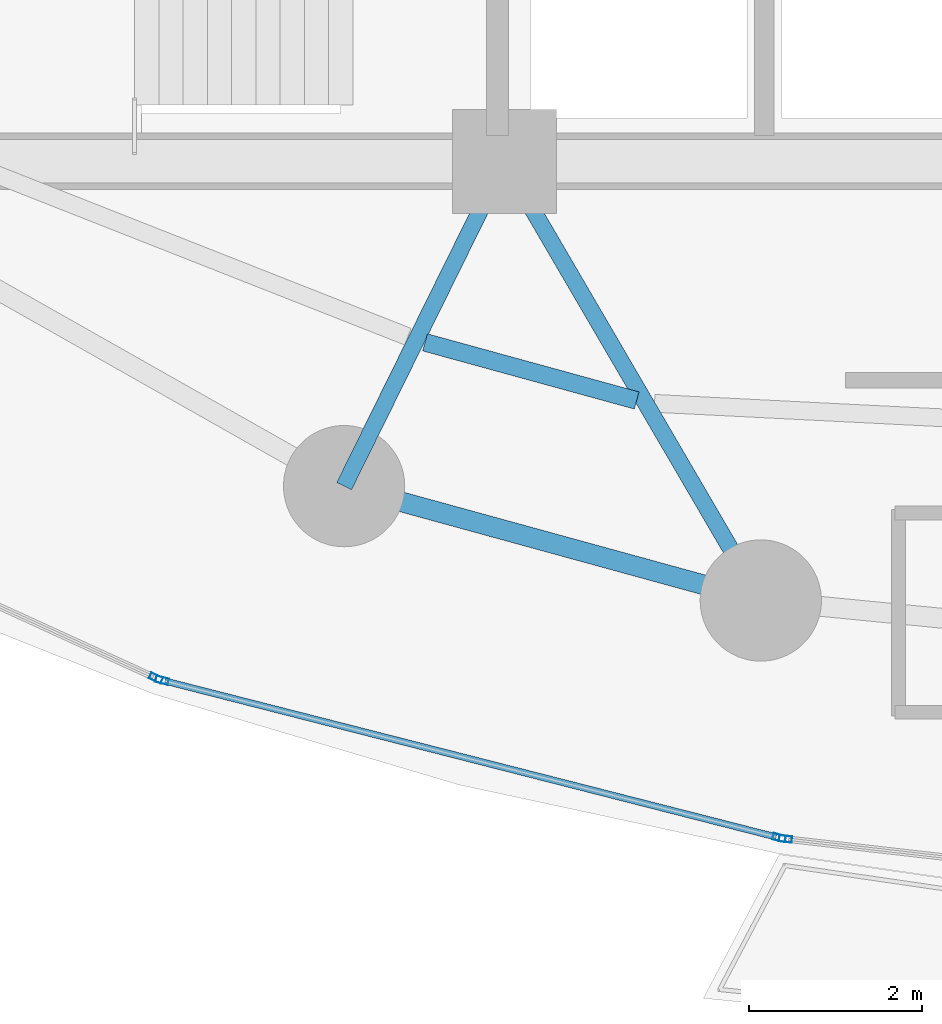
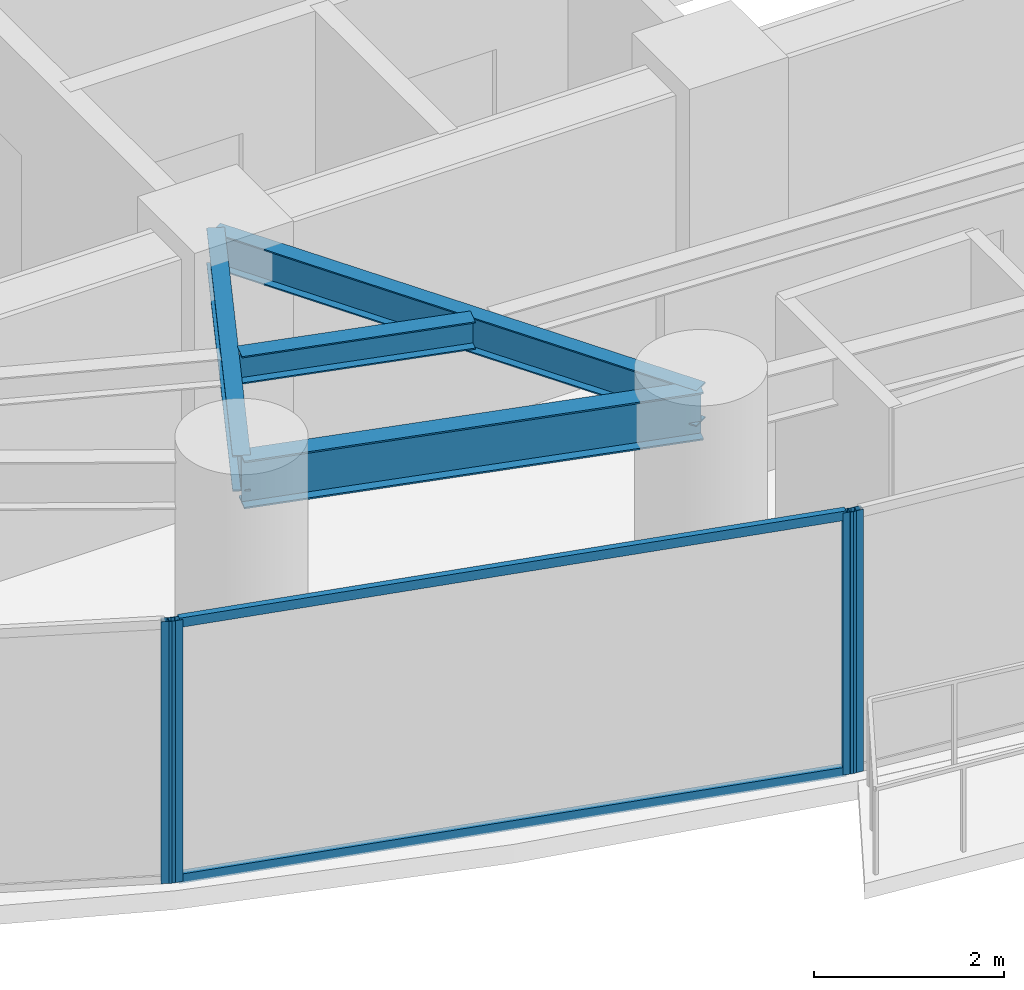
# One storey, part 5 of 33: 6 members, 4 beams, 3 elements without a shape of their own.
"""IFC4 building model written with IfcOpenShell, lengths in metres."""

from ifc_helpers import new_model, si_unit, direction, frame, origin, origin_2d, place, context, subcontext, project, spatial, hollow_rectangle, i_section, extrude, material, layer, layer_set, material_profile, profile_set, type_object, element, aggregate, save


model = new_model("IFC4")

# Units and contexts
model_context = context("Model", 3, precision=1e-05, world=origin(), true_north=direction((0.0, 1.0)))
body_context = subcontext(model_context, "Body", "Model", "MODEL_VIEW")
ifc_project = project(units=[si_unit("LENGTHUNIT", "METRE"), si_unit("AREAUNIT", "SQUARE_METRE"), si_unit("VOLUMEUNIT", "CUBIC_METRE"), si_unit("PLANEANGLEUNIT", "RADIAN"), si_unit("MASSUNIT", "GRAM", prefix="KILO")], contexts=[model_context])

# Site, building, storey
site_placement = place(None, origin())
site = spatial("IfcSite", under=ifc_project, at=site_placement, CompositionType="ELEMENT")
building_placement = place(site_placement, origin())
building = spatial("IfcBuilding", under=site, at=building_placement, Name="Kazevale Care Tower and Concert Hall", CompositionType="ELEMENT")
storey_placement = place(building_placement, frame((0.0, 0.0, 31.199951171875)))
storey = spatial("IfcBuildingStorey", under=building, at=storey_placement, Name="L07", CompositionType="ELEMENT", Elevation=31.199951171875)

# Curtain wall, member
ifc_material_1 = material(Name="Aluminium 6063-T6 and Low-E Glass", Category="aluminium")
ifc_layer = layer(ifc_material_1, 0.179931640625)
ifc_layer_set = layer_set([ifc_layer], Name="Aluminium 6063-T6 and Low-E Glass")
curtain_wall_type = type_object("IfcCurtainWallType", Name="Sheltered Concave Balcony Curtain Wall CW-5", PredefinedType="NOTDEFINED", material=ifc_layer_set)
curtain_wall_1_placement = place(storey_placement, origin())
curtain_wall_1 = element("IfcCurtainWall", 1, at=curtain_wall_1_placement, inside=storey, type_object=curtain_wall_type, Name="cw:L07:f07", PredefinedType="NOTDEFINED")
ifc_material_2 = material(Name="Aluminium 6063-T6", Category="aluminium")
ifc_material_profile_1 = material_profile(ifc_material_2, hollow_rectangle(XDim=0.074951171875, YDim=0.14990234375, WallThickness=0.00390625, at=origin_2d()), Name="ALU75x150x4")
ifc_profile_set_1 = profile_set([ifc_material_profile_1], Name="Aluminium 6063-T6")
member_type_1 = type_object("IfcMemberType", Name="CW-5 Mullion ALU75x150x4", PredefinedType="MULLION", material=ifc_profile_set_1)
member_1_placement = place(storey_placement, frame((33.245361328125, 15.77783203125, 0.0), z_axis=(0.0, 0.0, 1.0), x_axis=(-0.113704773808, -0.993514581883, 0.0)))
member_1 = element("IfcMember", 2, at=member_1_placement, type_object=member_type_1, Name="CW-5 mullion 2", PredefinedType="MULLION", context=body_context, shape_type="SweptSolid", body=[
    extrude(hollow_rectangle(XDim=0.074951171875, YDim=0.14990234375, WallThickness=0.00390625, at=origin_2d()), origin(), (0.0, 0.0, 1.0), 3.360107421875),
])
aggregate(curtain_wall_1, [member_1])

# Curtain wall, members
curtain_wall_2_placement = place(storey_placement, origin())
curtain_wall_2 = element("IfcCurtainWall", 3, at=curtain_wall_2_placement, inside=storey, type_object=curtain_wall_type, Name="cw:L07:f08", PredefinedType="NOTDEFINED")
member_2_placement = place(storey_placement, frame((33.171630859375, 15.791259765625, 0.0), z_axis=(0.0, 0.0, 1.0), x_axis=(-0.247221864936, -0.968958899798, 0.0)))
member_2 = element("IfcMember", 4, at=member_2_placement, type_object=member_type_1, Name="CW-5 mullion 1", PredefinedType="MULLION", context=body_context, shape_type="SweptSolid", body=[
    extrude(hollow_rectangle(XDim=0.074951171875, YDim=0.14990234375, WallThickness=0.00390625, at=origin_2d()), origin(), (0.0, 0.0, 1.0), 3.360107421875),
])
member_3_placement = place(storey_placement, frame((26.04833984375, 17.608642578125, 0.0), z_axis=(0.0, 0.0, 1.0), x_axis=(-0.247221864936, -0.968958899798, 0.0)))
member_3 = element("IfcMember", 5, at=member_3_placement, type_object=member_type_1, Name="CW-5 mullion 2", PredefinedType="MULLION", context=body_context, shape_type="SweptSolid", body=[
    extrude(hollow_rectangle(XDim=0.074951171875, YDim=0.14990234375, WallThickness=0.00390625, at=origin_2d()), origin(), (0.0, 0.0, 1.0), 3.360107421875),
])

# Curtain wall, member
curtain_wall_3_placement = place(storey_placement, origin())
curtain_wall_3 = element("IfcCurtainWall", 6, at=curtain_wall_3_placement, inside=storey, type_object=curtain_wall_type, Name="cw:L07:f09", PredefinedType="NOTDEFINED")
member_4_placement = place(storey_placement, frame((25.977783203125, 17.633544921875, 0.0), z_axis=(0.0, 0.0, 1.0), x_axis=(-0.415659767773, -0.909520179795, 0.0)))
member_4 = element("IfcMember", 7, at=member_4_placement, type_object=member_type_1, Name="CW-5 mullion 1", PredefinedType="MULLION", context=body_context, shape_type="SweptSolid", body=[
    extrude(hollow_rectangle(XDim=0.074951171875, YDim=0.14990234375, WallThickness=0.00390625, at=origin_2d()), origin(), (0.0, 0.0, 1.0), 3.360107421875),
])
aggregate(curtain_wall_3, [member_4])

# Member
ifc_material_profile_2 = material_profile(ifc_material_2, hollow_rectangle(XDim=0.074951171875, YDim=0.1201171875, WallThickness=0.00390625, at=origin_2d()), Name="ALU75x120x4")
ifc_profile_set_2 = profile_set([ifc_material_profile_2], Name="Aluminium 6063-T6")
member_type_2 = type_object("IfcMemberType", Name="CW-5 Transom ALU75x120x4", PredefinedType="USERDEFINED", material=ifc_profile_set_2)
member_5_placement = place(storey_placement, frame((33.13525390625, 15.800537109375, 0.03759765625), z_axis=(-0.968960816419, 0.24721435283, 0.0), x_axis=(-0.24721435283, -0.968960816419, 0.0)))
member_5 = element("IfcMember", 8, at=member_5_placement, type_object=member_type_2, Name="CW-5 transom 1.1", ObjectType="TRANSOM", PredefinedType="USERDEFINED", context=body_context, shape_type="SweptSolid", body=[
    extrude(hollow_rectangle(XDim=0.074951171875, YDim=0.1201171875, WallThickness=0.00390625, at=origin_2d()), origin(), (0.0, 0.0, 1.0), 7.2763671875),
])

member_6_placement = place(storey_placement, frame((33.13525390625, 15.800537109375, 3.322509765625), z_axis=(-0.968960816419, 0.24721435283, 0.0), x_axis=(-0.24721435283, -0.968960816419, 0.0)))
member_6 = element("IfcMember", 9, at=member_6_placement, type_object=member_type_2, Name="CW-5 transom 1.2", ObjectType="TRANSOM", PredefinedType="USERDEFINED", context=body_context, shape_type="SweptSolid", body=[
    extrude(hollow_rectangle(XDim=0.074951171875, YDim=0.1201171875, WallThickness=0.00390625, at=origin_2d()), origin(), (0.0, 0.0, 1.0), 7.2763671875),
])

aggregate(curtain_wall_2, [member_2, member_3, member_5, member_6])

# Beams
ifc_material_3 = material(Name="Steel ASTM A572 Gr 50", Category="steel")
ifc_material_profile_3 = material_profile(ifc_material_3, i_section(OverallWidth=0.19091796875, OverallDepth=0.4599609375, WebThickness=0.010009765625, FlangeThickness=0.01611328125, at=origin_2d()), Name="W460x82")
ifc_profile_set_3 = profile_set([ifc_material_profile_3], Name="Steel ASTM A572 Gr 50")
beam_type_1 = type_object("IfcBeamType", Name="Radial Floor Beam W460x82", PredefinedType="BEAM", material=ifc_profile_set_3)
beam_1_placement = place(storey_placement, frame((30.0, 23.60009765625, 3.130126953125), z_axis=(-0.442443019162, -0.896796618412, 0.0), x_axis=(0.896796618412, -0.442443019162, 0.0)))
element("IfcBeam", 10, at=beam_1_placement, inside=storey, type_object=beam_type_1, Name="beam:L07:rad:11", PredefinedType="BEAM", context=body_context, shape_type="SweptSolid", body=[
    extrude(i_section(OverallWidth=0.19091796875, OverallDepth=0.4599609375, WebThickness=0.010009765625, FlangeThickness=0.01611328125, at=origin_2d()), origin(), (0.0, 0.0, 1.0), 4.181640625),
])
beam_2_placement = place(storey_placement, frame((30.0, 23.60009765625, 3.130126953125), z_axis=(0.50417868077, -0.86359936189, 0.0), x_axis=(0.86359936189, 0.50417868077, 0.0)))
element("IfcBeam", 11, at=beam_2_placement, inside=storey, type_object=beam_type_1, Name="beam:L07:rad:12", PredefinedType="BEAM", context=body_context, shape_type="SweptSolid", body=[
    extrude(i_section(OverallWidth=0.19091796875, OverallDepth=0.4599609375, WebThickness=0.010009765625, FlangeThickness=0.01611328125, at=origin_2d()), origin(), (0.0, 0.0, 1.0), 5.870849609375),
])
ifc_material_profile_4 = material_profile(ifc_material_3, i_section(OverallWidth=0.22900390625, OverallDepth=0.612060546875, WebThickness=0.011962890625, FlangeThickness=0.01953125, at=origin_2d()), Name="W610x125")
ifc_profile_set_4 = profile_set([ifc_material_profile_4], Name="Steel ASTM A572 Gr 50")
beam_type_2 = type_object("IfcBeamType", Name="Ring Spandrel Beam W610x125", PredefinedType="SPANDREL", material=ifc_profile_set_4)
beam_3_placement = place(storey_placement, frame((28.14990234375, 19.85009765625, 3.053955078125), z_axis=(0.964343540473, -0.264653615031, 0.0), x_axis=(0.264653615031, 0.964343540473, 0.0)))
element("IfcBeam", 12, at=beam_3_placement, inside=storey, type_object=beam_type_2, Name="beam:L07:ring:11", PredefinedType="SPANDREL", context=body_context, shape_type="SweptSolid", body=[
    extrude(i_section(OverallWidth=0.22900390625, OverallDepth=0.612060546875, WebThickness=0.011962890625, FlangeThickness=0.01953125, at=origin_2d()), origin(), (0.0, 0.0, 1.0), 4.98779296875),
])
ifc_material_profile_5 = material_profile(ifc_material_3, i_section(OverallWidth=0.205078125, OverallDepth=0.35400390625, WebThickness=0.009521484375, FlangeThickness=0.016845703125, at=origin_2d()), Name="W360x79")
ifc_profile_set_5 = profile_set([ifc_material_profile_5], Name="Steel ASTM A572 Gr 50")
beam_type_3 = type_object("IfcBeamType", Name="Secondary Floor Joist W360x79", PredefinedType="JOIST", material=ifc_profile_set_5)
beam_4_placement = place(storey_placement, frame((29.083984375, 21.510009765625, 3.18310546875), z_axis=(0.964302027389, -0.264804833743, 0.0), x_axis=(0.264804833743, 0.964302027389, 0.0)))
element("IfcBeam", 13, at=beam_4_placement, inside=storey, type_object=beam_type_3, Name="beam:L07:joist:11", PredefinedType="JOIST", context=body_context, shape_type="SweptSolid", body=[
    extrude(i_section(OverallWidth=0.205078125, OverallDepth=0.35400390625, WebThickness=0.009521484375, FlangeThickness=0.016845703125, at=origin_2d()), origin(), (0.0, 0.0, 1.0), 2.533447265625),
])

save(model, "model.ifc")
